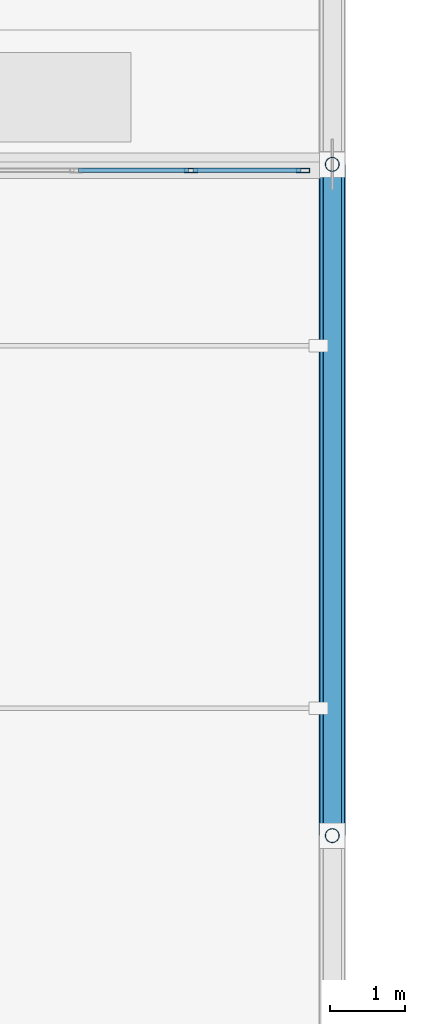
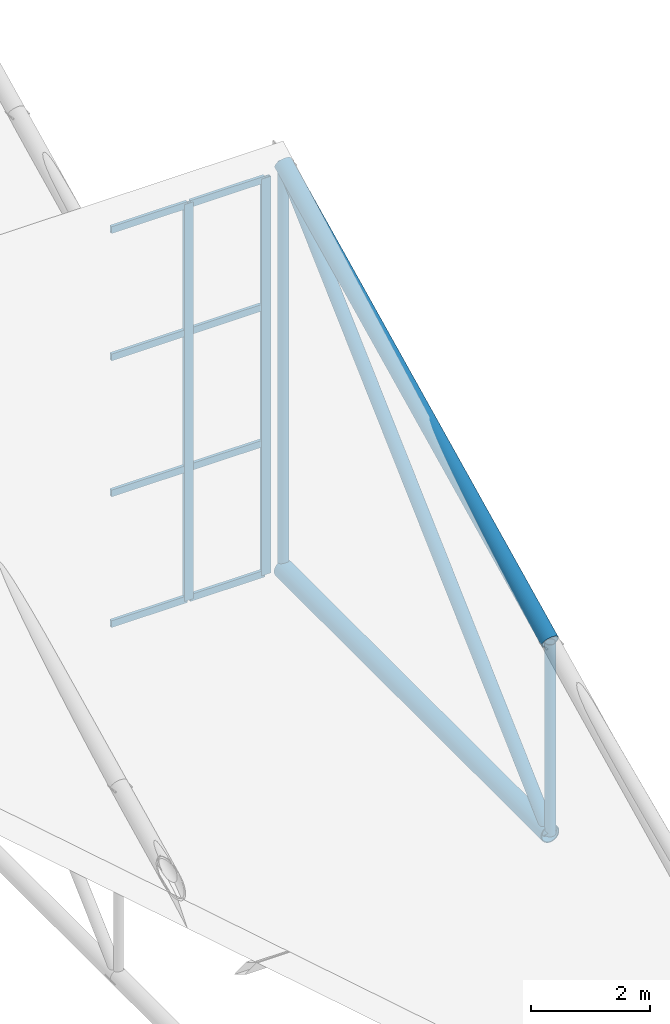
# One storey, part 19 of 38: 15 members, 1 element without a shape of its own.
"""IFC4 building model written with IfcOpenShell, lengths in metres."""

import ifcopenshell
import ifcopenshell.guid

model = None  # the IFC model being written
_history = None  # IfcOwnerHistory: only IFC2X3 demands one
_inside = {}  # id of a spatial element -> (the spatial element, [elements in it])
_under = {}  # id of a project, library or spatial element -> (it, [spatial elements below it])
_declared = {}  # id of a project -> (the project, [libraries it declares])
_typed = {}  # id of a type object -> (the type object, [elements of that type])
_made_of = {}  # id of a material, layer set ... -> (it, [elements and type objects made of it])


def new_model(schema):
    """Start an empty IFC model of exactly this schema.

    Asked for "IFC4X3", IfcOpenShell would pick the latest addendum, in which some entities
    have other attributes; the version numbers below select the first issue.
    IFC2X3 requires an IfcOwnerHistory on every rooted entity: one is made here for all.
    """
    global model, _history
    if schema == "IFC4X3":
        model = ifcopenshell.file(schema_version=(4, 3, 0, 0))
    else:
        model = ifcopenshell.file(schema=schema)
    _inside.clear()
    _under.clear()
    _declared.clear()
    _typed.clear()
    _made_of.clear()
    _history = None
    if model.schema == "IFC2X3":
        org = make("IfcOrganization", Name="unknown")
        user = make(
            "IfcPersonAndOrganization",
            ThePerson=make("IfcPerson", FamilyName="unknown"),
            TheOrganization=org,
        )
        app = make(
            "IfcApplication",
            ApplicationDeveloper=org,
            Version="unknown",
            ApplicationFullName="unknown",
            ApplicationIdentifier="unknown",
        )
        _history = make(
            "IfcOwnerHistory",
            OwningUser=user,
            OwningApplication=app,
            ChangeAction="ADDED",
            CreationDate=0,
        )
    return model


def make(cls, **values):
    """One entity of the class cls with the attributes given. An attribute that is None is left unset."""
    return model.create_entity(
        cls, **{name: value for name, value in values.items() if value is not None}
    )


def rooted(cls, **values):
    """An entity with a GlobalId (a new one), such as an element, a storey or a relation."""
    return make(cls, GlobalId=ifcopenshell.guid.new(), OwnerHistory=_history, **values)


def si_unit(unit_type, name, prefix=None):
    """IfcSIUnit, for example si_unit("LENGTHUNIT", "METRE", prefix="MILLI")."""
    return make("IfcSIUnit", UnitType=unit_type, Prefix=prefix, Name=name)


def assignment(units):
    """IfcUnitAssignment: the units of a project."""
    return None if units is None else make("IfcUnitAssignment", Units=units)


def point(xyz):
    """IfcCartesianPoint."""
    return None if xyz is None else make("IfcCartesianPoint", Coordinates=xyz)


def direction(xyz):
    """IfcDirection."""
    return None if xyz is None else make("IfcDirection", DirectionRatios=xyz)


def frame(location, z_axis=None, x_axis=None):
    """IfcAxis2Placement3D, a coordinate frame: its origin and axes. An axis left out is left unset."""
    return make(
        "IfcAxis2Placement3D",
        Location=point(location),
        Axis=direction(z_axis),
        RefDirection=direction(x_axis),
    )


def frame_2d(location, x_axis=None):
    """IfcAxis2Placement2D, a coordinate frame in the plane: its origin and x axis."""
    return make(
        "IfcAxis2Placement2D", Location=point(location), RefDirection=direction(x_axis)
    )


def origin():
    """The frame at (0, 0, 0) with its axes left unset."""
    return frame((0.0, 0.0, 0.0))


def origin_2d():
    """The frame at (0, 0) in the plane with its x axis left unset."""
    return frame_2d((0.0, 0.0))


def place(relative_to, where):
    """IfcLocalPlacement: puts the frame where relative to a parent placement (None: the world)."""
    return make(
        "IfcLocalPlacement", PlacementRelTo=relative_to, RelativePlacement=where
    )


def context(
    kind, dimensions, precision=None, world=None, true_north=None, identifier=None
):
    """IfcGeometricRepresentationContext, for example the 3D "Model" context."""
    return make(
        "IfcGeometricRepresentationContext",
        ContextIdentifier=identifier,
        ContextType=kind,
        CoordinateSpaceDimension=dimensions,
        Precision=precision,
        WorldCoordinateSystem=world,
        TrueNorth=true_north,
    )


def subcontext(parent, identifier, kind, view, scale=None):
    """IfcGeometricRepresentationSubContext, for example "Body" below "Model"."""
    return make(
        "IfcGeometricRepresentationSubContext",
        ContextIdentifier=identifier,
        ContextType=kind,
        ParentContext=parent,
        TargetScale=scale,
        TargetView=view,
    )


def project(units=None, contexts=None):
    """IfcProject with its units and contexts."""
    return rooted(
        "IfcProject",
        Name="project",
        RepresentationContexts=contexts,
        UnitsInContext=assignment(units),
    )


def spatial(cls, under=None, at=None, **own):
    """A site, building, storey or space (cls), placed at a placement, below another one or the project."""
    s = rooted(cls, ObjectPlacement=at, **own)
    if under is not None:
        _under.setdefault(under.id(), (under, []))[1].append(s)
    return s


def profile(cls, at=None, kind="AREA", **sizes):
    """A parametric profile (cls). Its sizes go by their IFC names, for example OverallWidth=200.0."""
    return make(cls, ProfileType=kind, Position=at, **sizes)


def hollow_rectangle(**sizes):
    """IfcRectangleHollowProfileDef."""
    return profile("IfcRectangleHollowProfileDef", **sizes)


def hollow_circle(**sizes):
    """IfcCircleHollowProfileDef."""
    return profile("IfcCircleHollowProfileDef", **sizes)


def extrude(swept, where, along, depth):
    """IfcExtrudedAreaSolid: the profile swept, set in the frame where, extruded along a direction by depth."""
    return make(
        "IfcExtrudedAreaSolid",
        SweptArea=swept,
        Position=where,
        ExtrudedDirection=direction(along),
        Depth=depth,
    )


def shape(context_of_items, identifier, shape_type, items):
    """IfcShapeRepresentation: the items that make up one representation, for example the "Body"."""
    return make(
        "IfcShapeRepresentation",
        ContextOfItems=context_of_items,
        RepresentationIdentifier=identifier,
        RepresentationType=shape_type,
        Items=items,
    )


def material(Name=None, Category=None):
    """IfcMaterial."""
    return make("IfcMaterial", Name=Name, Category=Category)


def material_profile(
    of_material, cross_section, Name=None, Category=None, Priority=None
):
    """IfcMaterialProfile: a cross section and its material."""
    return make(
        "IfcMaterialProfile",
        Name=Name,
        Material=of_material,
        Profile=cross_section,
        Priority=Priority,
        Category=Category,
    )


def profile_set(profiles, Name=None, composite=None):
    """IfcMaterialProfileSet."""
    return make(
        "IfcMaterialProfileSet",
        Name=Name,
        MaterialProfiles=profiles,
        CompositeProfile=composite,
    )


def made_of(thing, what):
    """Note that an element or type object is made of a material, layer set ...; save() writes the relation."""
    if what is not None:
        _made_of.setdefault(what.id(), (what, []))[1].append(thing)
    return thing


def type_object(cls, material=None, **own):
    """A type object (cls), such as IfcWallType, which elements share."""
    return made_of(rooted(cls, **own), material)


def element(
    cls,
    number,
    at=None,
    inside=None,
    cuts=None,
    type_object=None,
    material=None,
    context=None,
    identifier="Body",
    shape_type=None,
    held_by="IfcProductDefinitionShape",
    body=None,
    shapes=None,
    **own,
):
    """One element of the class cls, such as IfcWall. Its Tag is "e" and its number.

    at: its placement. inside: the storey or other place that contains it. cuts: it is an
    opening in that element (IfcRelVoidsElement). A single representation is given by context,
    identifier, shape_type and body (its items); several are given by shapes. held_by: the class
    of the entity that holds the representations. save() writes the other relations.
    """
    e = rooted(cls, Tag="e%d" % number, ObjectPlacement=at, **own)
    if body is not None:
        shapes = [shape(context, identifier, shape_type, body)]
    if shapes is not None:
        e.Representation = make(held_by, Representations=shapes)
    if inside is not None:
        _inside.setdefault(inside.id(), (inside, []))[1].append(e)
    if cuts is not None:
        rooted(
            "IfcRelVoidsElement", RelatingBuildingElement=cuts, RelatedOpeningElement=e
        )
    if type_object is not None:
        _typed.setdefault(type_object.id(), (type_object, []))[1].append(e)
    return made_of(e, material)


def aggregate(whole, parts):
    """IfcRelAggregates: a whole, such as a stair, and the parts it consists of."""
    return rooted("IfcRelAggregates", RelatingObject=whole, RelatedObjects=parts)


def save(model, path):
    """Write the relations noted so far, then the file.

    IfcRelAggregates (storeys below a building ...), IfcRelContainedInSpatialStructure (elements
    in a storey), IfcRelDefinesByType, IfcRelAssociatesMaterial and IfcRelDeclares: one each for
    every whole, place, type object, material and project.
    """
    for whole, parts in _under.values():
        aggregate(whole, parts)
    for where, things in _inside.values():
        rooted(
            "IfcRelContainedInSpatialStructure",
            RelatedElements=things,
            RelatingStructure=where,
        )
    for kind, things in _typed.values():
        rooted("IfcRelDefinesByType", RelatedObjects=things, RelatingType=kind)
    for what, things in _made_of.values():
        rooted("IfcRelAssociatesMaterial", RelatedObjects=things, RelatingMaterial=what)
    for by, libraries in _declared.values():
        rooted("IfcRelDeclares", RelatingContext=by, RelatedDefinitions=libraries)
    model.write(path)


model = new_model("IFC4")

# Units and contexts
model_context = context("Model", 3, precision=1e-05, world=origin(), true_north=direction((0.0, 1.0)))
body_context = subcontext(model_context, "Body", "Model", "MODEL_VIEW")
ifc_project = project(units=[si_unit("LENGTHUNIT", "METRE"), si_unit("AREAUNIT", "SQUARE_METRE"), si_unit("VOLUMEUNIT", "CUBIC_METRE"), si_unit("PLANEANGLEUNIT", "RADIAN"), si_unit("MASSUNIT", "GRAM", prefix="KILO")], contexts=[model_context])

# Site, building, storey
site_placement = place(None, origin())
site = spatial("IfcSite", under=ifc_project, at=site_placement, CompositionType="ELEMENT")
building_placement = place(site_placement, origin())
building = spatial("IfcBuilding", under=site, at=building_placement, Name="Veltarok Museum of Natural Sciences", CompositionType="ELEMENT")
storey_placement = place(building_placement, frame((0.0, 0.0, 31.199951171875)))
storey = spatial("IfcBuildingStorey", under=building, at=storey_placement, Name="RF", CompositionType="ELEMENT", Elevation=31.199951171875)

# Curtain wall, members
ifc_material_1 = material(Name="Low-iron triple insulated glass", Category="glass")
curtain_wall_type = type_object("IfcCurtainWallType", Name="Curtain Wall System CW-SAW-M1-768x817 (Sawtooth North Clerestory M1 768x817cm)", PredefinedType="NOTDEFINED", material=ifc_material_1)
curtain_wall_placement = place(storey_placement, origin())
curtain_wall = element("IfcCurtainWall", 1, at=curtain_wall_placement, inside=storey, type_object=curtain_wall_type, Name="Curtain Wall CW-SAW-M1-768x817 CW-SAW-0084", PredefinedType="NOTDEFINED")
ifc_material_2 = material(Name="Thermally broken anodised aluminium", Category="aluminium")
ifc_material_profile_1 = material_profile(ifc_material_2, hollow_rectangle(XDim=0.06005859375, YDim=0.179931640625, WallThickness=0.006103515625, at=origin_2d()), Name="CW MULLION 60x180x6")
ifc_profile_set_1 = profile_set([ifc_material_profile_1], Name="Thermally broken anodised aluminium")
member_type_1 = type_object("IfcMemberType", Name="Sawtooth Clerestory Mullion 60x180x6", PredefinedType="MULLION", material=ifc_profile_set_1)
member_1_placement = place(storey_placement, frame((98.409912109375, 53.919921875, -5.719970703125), z_axis=(0.0, 0.0, 1.0), x_axis=(0.0, -1.0, 0.0)))
member_1 = element("IfcMember", 2, at=member_1_placement, type_object=member_type_1, Name="CW-SAW-M1-768x817 mullion 1", PredefinedType="MULLION", context=body_context, shape_type="SweptSolid", body=[
    extrude(hollow_rectangle(XDim=0.06005859375, YDim=0.179931640625, WallThickness=0.006103515625, at=origin_2d()), origin(), (0.0, 0.0, 1.0), 8.169921875),
])
member_2_placement = place(storey_placement, frame((96.904052734375, 53.919921875, -5.719970703125), z_axis=(0.0, 0.0, 1.0), x_axis=(0.0, -1.0, 0.0)))
member_2 = element("IfcMember", 3, at=member_2_placement, type_object=member_type_1, Name="CW-SAW-M1-768x817 mullion 2", PredefinedType="MULLION", context=body_context, shape_type="SweptSolid", body=[
    extrude(hollow_rectangle(XDim=0.06005859375, YDim=0.179931640625, WallThickness=0.006103515625, at=origin_2d()), origin(), (0.0, 0.0, 1.0), 8.169921875),
])
ifc_material_profile_2 = material_profile(ifc_material_2, hollow_rectangle(XDim=0.06005859375, YDim=0.139892578125, WallThickness=0.0048828125, at=origin_2d()), Name="CW TRANSOM 60x140x5")
ifc_profile_set_2 = profile_set([ifc_material_profile_2], Name="Thermally broken anodised aluminium")
member_type_2 = type_object("IfcMemberType", Name="Sawtooth Clerestory Transom 60x140x5", PredefinedType="USERDEFINED", material=ifc_profile_set_2)
member_3_placement = place(storey_placement, frame((98.3798828125, 53.919921875, -5.68994140625), z_axis=(-1.0, 0.0, 0.0), x_axis=(0.0, -1.0, 0.0)))
member_3 = element("IfcMember", 4, at=member_3_placement, type_object=member_type_2, Name="CW-SAW-M1-768x817 transom 1.1", ObjectType="TRANSOM", PredefinedType="USERDEFINED", context=body_context, shape_type="SweptSolid", body=[
    extrude(hollow_rectangle(XDim=0.06005859375, YDim=0.139892578125, WallThickness=0.0048828125, at=origin_2d()), origin(), (0.0, 0.0, 1.0), 1.44580078125),
])
member_4_placement = place(storey_placement, frame((98.3798828125, 53.919921875, -3.0), z_axis=(-1.0, 0.0, 0.0), x_axis=(0.0, -1.0, 0.0)))
member_4 = element("IfcMember", 5, at=member_4_placement, type_object=member_type_2, Name="CW-SAW-M1-768x817 transom 1.2", ObjectType="TRANSOM", PredefinedType="USERDEFINED", context=body_context, shape_type="SweptSolid", body=[
    extrude(hollow_rectangle(XDim=0.06005859375, YDim=0.139892578125, WallThickness=0.0048828125, at=origin_2d()), origin(), (0.0, 0.0, 1.0), 1.44580078125),
])
member_5_placement = place(storey_placement, frame((98.3798828125, 53.919921875, -0.199951171875), z_axis=(-1.0, 0.0, 0.0), x_axis=(0.0, -1.0, 0.0)))
member_5 = element("IfcMember", 6, at=member_5_placement, type_object=member_type_2, Name="CW-SAW-M1-768x817 transom 1.3", ObjectType="TRANSOM", PredefinedType="USERDEFINED", context=body_context, shape_type="SweptSolid", body=[
    extrude(hollow_rectangle(XDim=0.06005859375, YDim=0.139892578125, WallThickness=0.0048828125, at=origin_2d()), origin(), (0.0, 0.0, 1.0), 1.44580078125),
])
member_6_placement = place(storey_placement, frame((98.3798828125, 53.919921875, 2.420166015625), z_axis=(-1.0, 0.0, 0.0), x_axis=(0.0, -1.0, 0.0)))
member_6 = element("IfcMember", 7, at=member_6_placement, type_object=member_type_2, Name="CW-SAW-M1-768x817 transom 1.4", ObjectType="TRANSOM", PredefinedType="USERDEFINED", context=body_context, shape_type="SweptSolid", body=[
    extrude(hollow_rectangle(XDim=0.06005859375, YDim=0.139892578125, WallThickness=0.0048828125, at=origin_2d()), origin(), (0.0, 0.0, 1.0), 1.44580078125),
])
member_7_placement = place(storey_placement, frame((96.8740234375, 53.919921875, -5.68994140625), z_axis=(-1.0, 0.0, 0.0), x_axis=(0.0, -1.0, 0.0)))
member_7 = element("IfcMember", 8, at=member_7_placement, type_object=member_type_2, Name="CW-SAW-M1-768x817 transom 2.1", ObjectType="TRANSOM", PredefinedType="USERDEFINED", context=body_context, shape_type="SweptSolid", body=[
    extrude(hollow_rectangle(XDim=0.06005859375, YDim=0.139892578125, WallThickness=0.0048828125, at=origin_2d()), origin(), (0.0, 0.0, 1.0), 1.47607421875),
])
member_8_placement = place(storey_placement, frame((96.8740234375, 53.919921875, -3.0), z_axis=(-1.0, 0.0, 0.0), x_axis=(0.0, -1.0, 0.0)))
member_8 = element("IfcMember", 9, at=member_8_placement, type_object=member_type_2, Name="CW-SAW-M1-768x817 transom 2.2", ObjectType="TRANSOM", PredefinedType="USERDEFINED", context=body_context, shape_type="SweptSolid", body=[
    extrude(hollow_rectangle(XDim=0.06005859375, YDim=0.139892578125, WallThickness=0.0048828125, at=origin_2d()), origin(), (0.0, 0.0, 1.0), 1.47607421875),
])
member_9_placement = place(storey_placement, frame((96.8740234375, 53.919921875, -0.199951171875), z_axis=(-1.0, 0.0, 0.0), x_axis=(0.0, -1.0, 0.0)))
member_9 = element("IfcMember", 10, at=member_9_placement, type_object=member_type_2, Name="CW-SAW-M1-768x817 transom 2.3", ObjectType="TRANSOM", PredefinedType="USERDEFINED", context=body_context, shape_type="SweptSolid", body=[
    extrude(hollow_rectangle(XDim=0.06005859375, YDim=0.139892578125, WallThickness=0.0048828125, at=origin_2d()), origin(), (0.0, 0.0, 1.0), 1.47607421875),
])
member_10_placement = place(storey_placement, frame((96.8740234375, 53.919921875, 2.420166015625), z_axis=(-1.0, 0.0, 0.0), x_axis=(0.0, -1.0, 0.0)))
member_10 = element("IfcMember", 11, at=member_10_placement, type_object=member_type_2, Name="CW-SAW-M1-768x817 transom 2.4", ObjectType="TRANSOM", PredefinedType="USERDEFINED", context=body_context, shape_type="SweptSolid", body=[
    extrude(hollow_rectangle(XDim=0.06005859375, YDim=0.139892578125, WallThickness=0.0048828125, at=origin_2d()), origin(), (0.0, 0.0, 1.0), 1.47607421875),
])
aggregate(curtain_wall, [member_1, member_2, member_3, member_4, member_5, member_6, member_7, member_8, member_9, member_10])

# Members
ifc_material_3 = material(Name="Oxide-red painted Steel S355J2", Category="steel")
ifc_material_profile_3 = material_profile(ifc_material_3, hollow_circle(Radius=0.122314453125, WallThickness=0.012451171875, at=origin_2d()), Name="CHS 244.5x12.5")
ifc_profile_set_3 = profile_set([ifc_material_profile_3], Name="Oxide-red painted Steel S355J2")
member_type_3 = type_object("IfcMemberType", Name="Sawtooth End Diagonal CHS 244.5x12.5", PredefinedType="BRACE", material=ifc_profile_set_3)
member_11_placement = place(storey_placement, frame((98.800048828125, 45.0, -5.800048828125), z_axis=(0.0, 0.733079568112, 0.680142887059), x_axis=(-1.0, 0.0, 0.0)))
element("IfcMember", 12, at=member_11_placement, inside=storey, type_object=member_type_3, Name="Roof Truss Diagonal 12 M1", PredefinedType="BRACE", context=body_context, shape_type="SweptSolid", body=[
    extrude(hollow_circle(Radius=0.122314453125, WallThickness=0.012451171875, at=origin_2d()), origin(), (0.0, 0.0, 1.0), 12.27685546875),
])
ifc_material_profile_4 = material_profile(ifc_material_3, hollow_circle(Radius=0.096923828125, WallThickness=0.010009765625, at=origin_2d()), Name="CHS 193.7x10")
ifc_profile_set_4 = profile_set([ifc_material_profile_4], Name="Oxide-red painted Steel S355J2")
member_type_4 = type_object("IfcMemberType", Name="Sawtooth End Strut CHS 193.7x10", PredefinedType="STRUT", material=ifc_profile_set_4)
member_12_placement = place(storey_placement, frame((98.800048828125, 45.0, -5.800048828125), z_axis=(0.0, 0.0, 1.0), x_axis=(1.0, 0.0, 0.0)))
element("IfcMember", 13, at=member_12_placement, inside=storey, type_object=member_type_4, Name="Roof Truss Strut 12 M1", PredefinedType="STRUT", context=body_context, shape_type="SweptSolid", body=[
    extrude(hollow_circle(Radius=0.096923828125, WallThickness=0.010009765625, at=origin_2d()), origin(), (0.0, 0.0, 1.0), 3.9501953125),
])
member_13_placement = place(storey_placement, frame((98.800048828125, 54.0, -5.800048828125), z_axis=(0.0, 0.0, 1.0), x_axis=(1.0, 0.0, 0.0)))
element("IfcMember", 14, at=member_13_placement, inside=storey, type_object=member_type_4, Name="Roof Truss Strut 12 M1", PredefinedType="STRUT", context=body_context, shape_type="SweptSolid", body=[
    extrude(hollow_circle(Radius=0.096923828125, WallThickness=0.010009765625, at=origin_2d()), origin(), (0.0, 0.0, 1.0), 8.35009765625),
])
ifc_material_profile_5 = material_profile(ifc_material_3, hollow_circle(Radius=0.177734375, WallThickness=0.01611328125, at=origin_2d()), Name="CHS 355.6x16")
ifc_profile_set_5 = profile_set([ifc_material_profile_5], Name="Oxide-red painted Steel S355J2")
member_type_5 = type_object("IfcMemberType", Name="Sawtooth Heavy Chord CHS 355.6x16", PredefinedType="CHORD", material=ifc_profile_set_5)
member_14_placement = place(storey_placement, frame((98.800048828125, 45.0, -5.800048828125), z_axis=(0.0, 1.0, 0.0), x_axis=(-1.0, 0.0, 0.0)))
element("IfcMember", 15, at=member_14_placement, inside=storey, type_object=member_type_5, Name="Roof Truss Bottom Chord 12 M1", PredefinedType="CHORD", context=body_context, shape_type="SweptSolid", body=[
    extrude(hollow_circle(Radius=0.177734375, WallThickness=0.01611328125, at=origin_2d()), origin(), (0.0, 0.0, 1.0), 9.0),
])
ifc_material_profile_6 = material_profile(ifc_material_3, hollow_circle(Radius=0.161865234375, WallThickness=0.01611328125, at=origin_2d()), Name="CHS 323.9x16")
ifc_profile_set_6 = profile_set([ifc_material_profile_6], Name="Oxide-red painted Steel S355J2")
member_type_6 = type_object("IfcMemberType", Name="Sawtooth Truss Chord CHS 323.9x16", PredefinedType="CHORD", material=ifc_profile_set_6)
member_15_placement = place(storey_placement, frame((98.800048828125, 45.0, -1.849853515625), z_axis=(0.0, 0.898388207299, 0.439202264322), x_axis=(-1.0, 0.0, 0.0)))
element("IfcMember", 16, at=member_15_placement, inside=storey, type_object=member_type_6, Name="Roof Truss Top Chord 12 M1", PredefinedType="CHORD", context=body_context, shape_type="SweptSolid", body=[
    extrude(hollow_circle(Radius=0.161865234375, WallThickness=0.01611328125, at=origin_2d()), origin(), (0.0, 0.0, 1.0), 10.017822265625),
])

save(model, "model.ifc")
